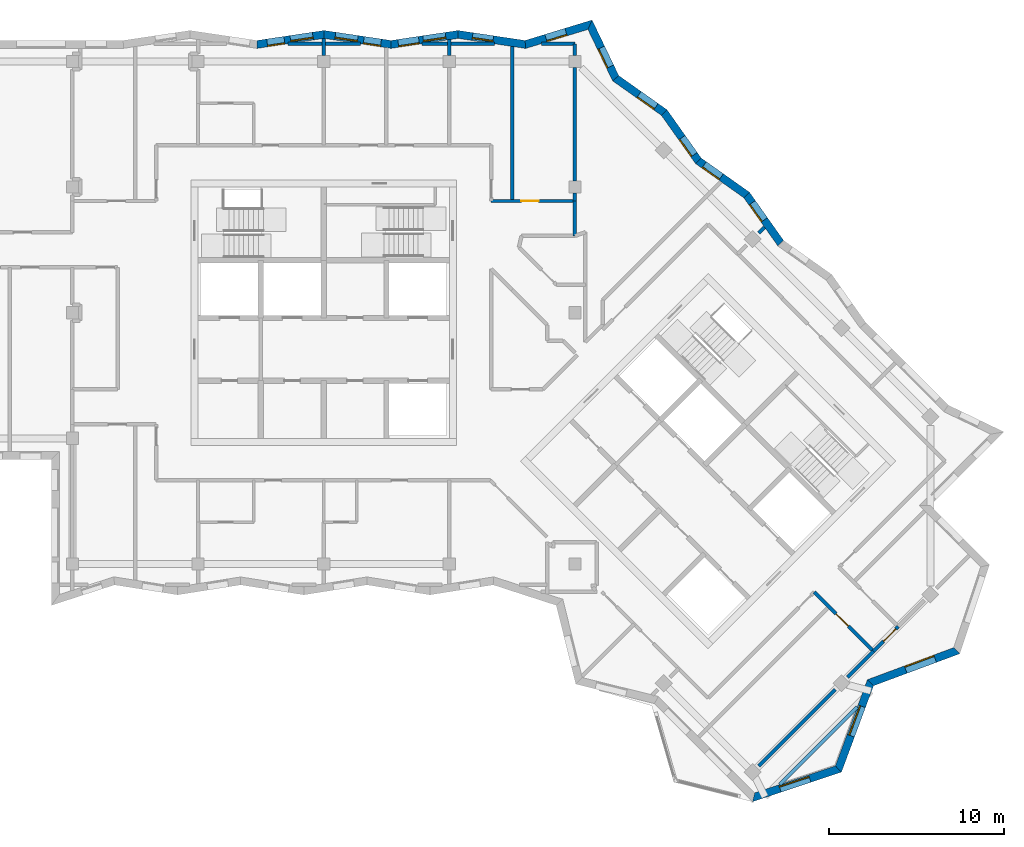
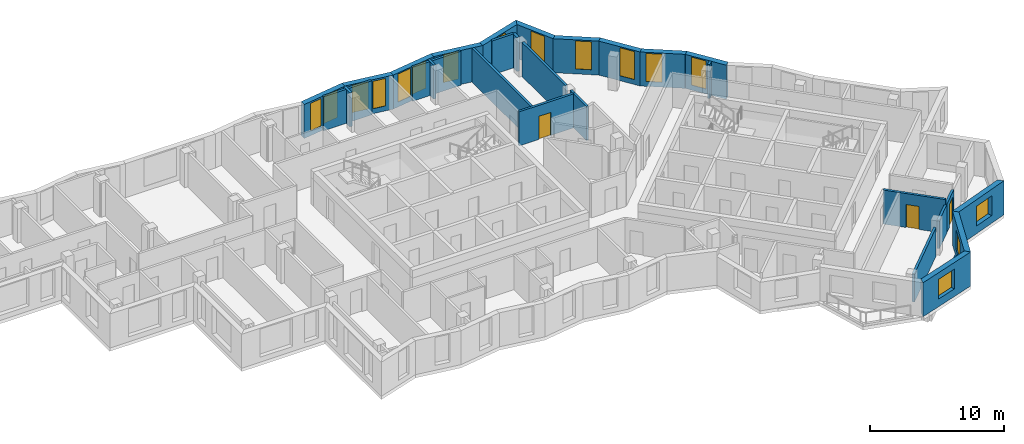
# One storey, part 7 of 12: 30 walls, 16 windows, 3 doors, 19 openings.
"""IFC4 building model written with IfcOpenShell, lengths in metres."""

from ifc_helpers import new_model, si_unit, direction, frame, frame_2d, origin, place, context, subcontext, project, spatial, polyline, rectangle, outline, extrude, material, layer, layer_set, type_object, element, fill, save


model = new_model("IFC4")

# Units and contexts
model_context = context("Model", 3, precision=1e-05, world=origin(), true_north=direction((0.0, 1.0)))
body_context = subcontext(model_context, "Body", "Model", "MODEL_VIEW")
ifc_project = project(units=[si_unit("LENGTHUNIT", "METRE"), si_unit("AREAUNIT", "SQUARE_METRE"), si_unit("VOLUMEUNIT", "CUBIC_METRE"), si_unit("PLANEANGLEUNIT", "RADIAN"), si_unit("MASSUNIT", "GRAM", prefix="KILO")], contexts=[model_context])

# Site, building, storey
site_placement = place(None, origin())
site = spatial("IfcSite", under=ifc_project, at=site_placement, CompositionType="ELEMENT")
building_placement = place(site_placement, origin())
building = spatial("IfcBuilding", under=site, at=building_placement, Name="Windrow Commons", CompositionType="ELEMENT")
storey_placement = place(building_placement, frame((0.0, 0.0, 274.4)))
storey = spatial("IfcBuildingStorey", under=building, at=storey_placement, Name="L75", CompositionType="ELEMENT", Elevation=274.4)

# Wall, opening, window
ifc_material_1 = material(Name="Brick masonry, red clay brick", Category="masonry")
ifc_layer_1 = layer(ifc_material_1, 0.45)
ifc_layer_set_1 = layer_set([ifc_layer_1], Name="Brick facade wall 450")
wall_type_1 = type_object("IfcWallType", Name="Brick facade wall 450", PredefinedType="SOLIDWALL", material=ifc_layer_set_1)
wall_1_placement = place(storey_placement, frame((89.4431, 29.831, 0.0), z_axis=(0.0, 0.0, 1.0), x_axis=(0.9486832981, 0.316227766, 0.0)))
wall_1 = element("IfcWall", 1, at=wall_1_placement, inside=storey, type_object=wall_type_1, Name="Brick facade wall L75 1", PredefinedType="SOLIDWALL", context=body_context, shape_type="SweptSolid", body=[
    extrude(outline(polyline([(-0.1391, -0.225), (5.2275, -0.225), (5.012, 0.225), (0.1391, 0.225), (-0.1391, -0.225)])), origin(), (0.0, 0.0, 1.0), 3.1),
])
opening_1_placement = place(wall_1_placement, frame((1.5844, 0.0, 0.7)))
opening_1 = element("IfcOpeningElement", 2, at=opening_1_placement, cuts=wall_1, Name="Opening W1M", PredefinedType="OPENING", context=body_context, shape_type="SweptSolid", body=[
    extrude(rectangle(XDim=1.8, YDim=1.8, at=frame_2d((0.9, 0.9))), frame((0.0, 0.235, 0.0), z_axis=(0.0, -1.0, 0.0), x_axis=(1.0, 0.0, 0.0)), (0.0, 0.0, 1.0), 0.47),
])
ifc_material_2 = material(Name="Clear float glass in anodised aluminium frame", Category="aluminium")
window_type_1 = type_object("IfcWindowType", Name="Window W1M bedroom 1800x1800", PartitioningType="SINGLE_PANEL", PredefinedType="WINDOW", material=ifc_material_2)
window_1_placement = place(opening_1_placement, origin())
window_1 = element("IfcWindow", 3, at=window_1_placement, inside=storey, type_object=window_type_1, Name="Window L75 1.1", OverallHeight=1.8, OverallWidth=1.8, PartitioningType="SINGLE_PANEL", PredefinedType="WINDOW", context=body_context, shape_type="SweptSolid", body=[
    extrude(rectangle(XDim=1.8, YDim=1.8, at=frame_2d((0.9, 0.9))), frame((0.0, 0.135, 0.0), z_axis=(0.0, -1.0, 0.0), x_axis=(1.0, 0.0, 0.0)), (0.0, 0.0, 1.0), 0.06),
])
fill(opening_1, window_1)

wall_2_placement = place(storey_placement, frame((94.3001, 31.45, 0.0), z_axis=(0.0, 0.0, 1.0), x_axis=(0.3481927166, 0.9374229739, 0.0)))
wall_2 = element("IfcWall", 4, at=wall_2_placement, inside=storey, type_object=wall_type_1, Name="Brick facade wall L75 2", PredefinedType="SOLIDWALL", context=body_context, shape_type="SweptSolid", body=[
    extrude(outline(polyline([(-0.1078, -0.225), (5.1724, -0.225), (5.3786, 0.225), (0.1078, 0.225), (-0.1078, -0.225)])), origin(), (0.0, 0.0, 1.0), 3.1),
])
opening_2_placement = place(wall_2_placement, frame((2.0336, 0.0, 0.7)))
opening_2 = element("IfcOpeningElement", 5, at=opening_2_placement, cuts=wall_2, Name="Opening W1M", PredefinedType="OPENING", context=body_context, shape_type="SweptSolid", body=[
    extrude(rectangle(XDim=1.8, YDim=1.8, at=frame_2d((0.9, 0.9))), frame((0.0, 0.235, 0.0), z_axis=(0.0, -1.0, 0.0), x_axis=(1.0, 0.0, 0.0)), (0.0, 0.0, 1.0), 0.47),
])
window_2_placement = place(opening_2_placement, origin())
window_2 = element("IfcWindow", 6, at=window_2_placement, inside=storey, type_object=window_type_1, Name="Window L75 2.1", OverallHeight=1.8, OverallWidth=1.8, PartitioningType="SINGLE_PANEL", PredefinedType="WINDOW", context=body_context, shape_type="SweptSolid", body=[
    extrude(rectangle(XDim=1.8, YDim=1.8, at=frame_2d((0.9, 0.9))), frame((0.0, 0.125, 0.0), z_axis=(0.0, -1.0, 0.0), x_axis=(1.0, 0.0, 0.0)), (0.0, 0.0, 1.0), 0.06),
])
fill(opening_2, window_2)

wall_3_placement = place(storey_placement, frame((96.137, 36.3954, 0.0), z_axis=(0.0, 0.0, 1.0), x_axis=(0.937429161, 0.3481760591, 0.0)))
wall_3 = element("IfcWall", 7, at=wall_3_placement, inside=storey, type_object=wall_type_1, Name="Brick facade wall L75 3", PredefinedType="SOLIDWALL", context=body_context, shape_type="SweptSolid", body=[
    extrude(outline(polyline([(0.1031, -0.225), (5.3833, -0.225), (5.1677, 0.225), (-0.1031, 0.225), (0.1031, -0.225)])), origin(), (0.0, 0.0, 1.0), 3.1),
])
opening_3_placement = place(wall_3_placement, frame((2.1509, 0.0, 0.7)))
opening_3 = element("IfcOpeningElement", 8, at=opening_3_placement, cuts=wall_3, Name="Opening W1M", PredefinedType="OPENING", context=body_context, shape_type="SweptSolid", body=[
    extrude(rectangle(XDim=1.8, YDim=1.8, at=frame_2d((0.9, 0.9))), frame((0.0, 0.235, 0.0), z_axis=(0.0, -1.0, 0.0), x_axis=(1.0, 0.0, 0.0)), (0.0, 0.0, 1.0), 0.47),
])
window_3_placement = place(opening_3_placement, origin())
window_3 = element("IfcWindow", 9, at=window_3_placement, inside=storey, type_object=window_type_1, Name="Window L75 3.1", OverallHeight=1.8, OverallWidth=1.8, PartitioningType="SINGLE_PANEL", PredefinedType="WINDOW", context=body_context, shape_type="SweptSolid", body=[
    extrude(rectangle(XDim=1.8, YDim=1.8, at=frame_2d((0.9, 0.9))), frame((0.0, 0.205, 0.0), z_axis=(0.0, -1.0, 0.0), x_axis=(1.0, 0.0, 0.0)), (0.0, 0.0, 1.0), 0.06),
])
fill(opening_3, window_3)

wall_4_placement = place(storey_placement, frame((90.9949, 61.5794, 0.0), z_axis=(0.0, 0.0, 1.0), x_axis=(-0.5775314394, 0.8163684441, 0.0)))
wall_4 = element("IfcWall", 10, at=wall_4_placement, inside=storey, type_object=wall_type_1, Name="Brick facade wall L75 11", PredefinedType="SOLIDWALL", context=body_context, shape_type="SweptSolid", body=[
    extrude(outline(polyline([(0.0386, -0.225), (3.4255, -0.225), (3.3483, 0.225), (-0.0386, 0.225), (0.0386, -0.225)])), origin(), (0.0, 0.0, 1.0), 3.1),
])
opening_4_placement = place(wall_4_placement, frame((1.6381, 0.0, 0.45)))
opening_4 = element("IfcOpeningElement", 11, at=opening_4_placement, cuts=wall_4, Name="Opening W7F", PredefinedType="OPENING", context=body_context, shape_type="SweptSolid", body=[
    extrude(rectangle(XDim=1.2, YDim=2.55, at=frame_2d((0.6, 1.275))), frame((0.0, 0.235, 0.0), z_axis=(0.0, -1.0, 0.0), x_axis=(1.0, 0.0, 0.0)), (0.0, 0.0, 1.0), 0.47),
])
ifc_material_3 = material(Name="Clear float glass in anodised aluminium frame", Category="aluminium")
window_type_2 = type_object("IfcWindowType", Name="Window W7 notch 1200x2550", PartitioningType="SINGLE_PANEL", PredefinedType="WINDOW", material=ifc_material_3)
window_4_placement = place(opening_4_placement, origin())
window_4 = element("IfcWindow", 12, at=window_4_placement, inside=storey, type_object=window_type_2, Name="Window L75 11.1", OverallHeight=2.55, OverallWidth=1.2, PartitioningType="SINGLE_PANEL", PredefinedType="WINDOW", context=body_context, shape_type="SweptSolid", body=[
    extrude(rectangle(XDim=1.2, YDim=2.55, at=frame_2d((0.6, 1.275))), frame((0.0, 0.205, 0.0), z_axis=(0.0, -1.0, 0.0), x_axis=(1.0, 0.0, 0.0)), (0.0, 0.0, 1.0), 0.06),
])
fill(opening_4, window_4)

wall_5_placement = place(storey_placement, frame((89.0389, 64.3443, 0.0), z_axis=(0.0, 0.0, 1.0), x_axis=(-0.8163643715, 0.5775371961, 0.0)))
wall_5 = element("IfcWall", 13, at=wall_5_placement, inside=storey, type_object=wall_type_1, Name="Brick facade wall L75 12", PredefinedType="SOLIDWALL", context=body_context, shape_type="SweptSolid", body=[
    extrude(outline(polyline([(-0.0386, -0.225), (3.3483, -0.225), (3.4255, 0.225), (0.0386, 0.225), (-0.0386, -0.225)])), origin(), (0.0, 0.0, 1.0), 3.1),
])
opening_5_placement = place(wall_5_placement, frame((1.7901, 0.0, 0.45)))
opening_5 = element("IfcOpeningElement", 14, at=opening_5_placement, cuts=wall_5, Name="Opening W7F", PredefinedType="OPENING", context=body_context, shape_type="SweptSolid", body=[
    extrude(rectangle(XDim=1.2, YDim=2.55, at=frame_2d((0.6, 1.275))), frame((0.0, 0.235, 0.0), z_axis=(0.0, -1.0, 0.0), x_axis=(1.0, 0.0, 0.0)), (0.0, 0.0, 1.0), 0.47),
])
window_5_placement = place(opening_5_placement, origin())
window_5 = element("IfcWindow", 15, at=window_5_placement, inside=storey, type_object=window_type_2, Name="Window L75 12.1", OverallHeight=2.55, OverallWidth=1.2, PartitioningType="SINGLE_PANEL", PredefinedType="WINDOW", context=body_context, shape_type="SweptSolid", body=[
    extrude(rectangle(XDim=1.2, YDim=2.55, at=frame_2d((0.6, 1.275))), frame((0.0, 0.205, 0.0), z_axis=(0.0, -1.0, 0.0), x_axis=(1.0, 0.0, 0.0)), (0.0, 0.0, 1.0), 0.06),
])
fill(opening_5, window_5)

wall_6_placement = place(storey_placement, frame((86.2739, 66.3004, 0.0), z_axis=(0.0, 0.0, 1.0), x_axis=(-0.5775314394, 0.8163684441, 0.0)))
wall_6 = element("IfcWall", 16, at=wall_6_placement, inside=storey, type_object=wall_type_1, Name="Brick facade wall L75 13", PredefinedType="SOLIDWALL", context=body_context, shape_type="SweptSolid", body=[
    extrude(outline(polyline([(0.0386, -0.225), (3.4255, -0.225), (3.3483, 0.225), (-0.0386, 0.225), (0.0386, -0.225)])), origin(), (0.0, 0.0, 1.0), 3.1),
])
opening_6_placement = place(wall_6_placement, frame((0.4295, 0.0, 0.45)))
opening_6 = element("IfcOpeningElement", 17, at=opening_6_placement, cuts=wall_6, Name="Opening W7F", PredefinedType="OPENING", context=body_context, shape_type="SweptSolid", body=[
    extrude(rectangle(XDim=1.2, YDim=2.55, at=frame_2d((0.6, 1.275))), frame((0.0, 0.235, 0.0), z_axis=(0.0, -1.0, 0.0), x_axis=(1.0, 0.0, 0.0)), (0.0, 0.0, 1.0), 0.47),
])
window_6_placement = place(opening_6_placement, origin())
window_6 = element("IfcWindow", 18, at=window_6_placement, inside=storey, type_object=window_type_2, Name="Window L75 13.1", OverallHeight=2.55, OverallWidth=1.2, PartitioningType="SINGLE_PANEL", PredefinedType="WINDOW", context=body_context, shape_type="SweptSolid", body=[
    extrude(rectangle(XDim=1.2, YDim=2.55, at=frame_2d((0.6, 1.275))), frame((0.0, 0.205, 0.0), z_axis=(0.0, -1.0, 0.0), x_axis=(1.0, 0.0, 0.0)), (0.0, 0.0, 1.0), 0.06),
])
fill(opening_6, window_6)

wall_7_placement = place(storey_placement, frame((84.3179, 69.0653, 0.0), z_axis=(0.0, 0.0, 1.0), x_axis=(-0.8163629806, 0.5775391623, 0.0)))
wall_7 = element("IfcWall", 19, at=wall_7_placement, inside=storey, type_object=wall_type_1, Name="Brick facade wall L75 14", PredefinedType="SOLIDWALL", context=body_context, shape_type="SweptSolid", body=[
    extrude(outline(polyline([(-0.0386, -0.225), (3.3483, -0.225), (3.465, 0.225), (0.0386, 0.225), (-0.0386, -0.225)])), origin(), (0.0, 0.0, 1.0), 3.1),
])
opening_7_placement = place(wall_7_placement, frame((0.5815, 0.0, 0.45)))
opening_7 = element("IfcOpeningElement", 20, at=opening_7_placement, cuts=wall_7, Name="Opening W7F", PredefinedType="OPENING", context=body_context, shape_type="SweptSolid", body=[
    extrude(rectangle(XDim=1.2, YDim=2.55, at=frame_2d((0.6, 1.275))), frame((0.0, 0.235, 0.0), z_axis=(0.0, -1.0, 0.0), x_axis=(1.0, 0.0, 0.0)), (0.0, 0.0, 1.0), 0.47),
])
window_7_placement = place(opening_7_placement, origin())
window_7 = element("IfcWindow", 21, at=window_7_placement, inside=storey, type_object=window_type_2, Name="Window L75 14.1", OverallHeight=2.55, OverallWidth=1.2, PartitioningType="SINGLE_PANEL", PredefinedType="WINDOW", context=body_context, shape_type="SweptSolid", body=[
    extrude(rectangle(XDim=1.2, YDim=2.55, at=frame_2d((0.6, 1.275))), frame((0.0, 0.205, 0.0), z_axis=(0.0, -1.0, 0.0), x_axis=(1.0, 0.0, 0.0)), (0.0, 0.0, 1.0), 0.06),
])
fill(opening_7, window_7)

wall_8_placement = place(storey_placement, frame((81.5368, 71.0328, 0.0), z_axis=(0.0, 0.0, 1.0), x_axis=(-0.4329584149, 0.9014138955, 0.0)))
wall_8 = element("IfcWall", 22, at=wall_8_placement, inside=storey, type_object=wall_type_1, Name="Brick facade wall L75 15", PredefinedType="SOLIDWALL", context=body_context, shape_type="SweptSolid", body=[
    extrude(outline(polyline([(0.0583, -0.225), (3.5963, -0.225), (3.2098, 0.225), (-0.0583, 0.225), (0.0583, -0.225)])), origin(), (0.0, 0.0, 1.0), 3.1),
])
opening_8_placement = place(wall_8_placement, frame((0.738, 0.0, 0.45)))
opening_8 = element("IfcOpeningElement", 23, at=opening_8_placement, cuts=wall_8, Name="Opening W7F", PredefinedType="OPENING", context=body_context, shape_type="SweptSolid", body=[
    extrude(rectangle(XDim=1.2, YDim=2.55, at=frame_2d((0.6, 1.275))), frame((0.0, 0.235, 0.0), z_axis=(0.0, -1.0, 0.0), x_axis=(1.0, 0.0, 0.0)), (0.0, 0.0, 1.0), 0.47),
])
window_8_placement = place(opening_8_placement, origin())
window_8 = element("IfcWindow", 24, at=window_8_placement, inside=storey, type_object=window_type_2, Name="Window L75 15.1", OverallHeight=2.55, OverallWidth=1.2, PartitioningType="SINGLE_PANEL", PredefinedType="WINDOW", context=body_context, shape_type="SweptSolid", body=[
    extrude(rectangle(XDim=1.2, YDim=2.55, at=frame_2d((0.6, 1.275))), frame((0.0, 0.205, 0.0), z_axis=(0.0, -1.0, 0.0), x_axis=(1.0, 0.0, 0.0)), (0.0, 0.0, 1.0), 0.06),
])
fill(opening_8, window_8)

wall_9_placement = place(storey_placement, frame((80.0634, 74.1004, 0.0), z_axis=(0.0, 0.0, 1.0), x_axis=(-0.9564377374, -0.2919363877, 0.0)))
wall_9 = element("IfcWall", 25, at=wall_9_placement, inside=storey, type_object=wall_type_1, Name="Brick facade wall L75 16", PredefinedType="SOLIDWALL", context=body_context, shape_type="SweptSolid", body=[
    extrude(outline(polyline([(-0.1933, -0.225), (3.8212, -0.225), (3.9229, 0.225), (0.1933, 0.225), (-0.1933, -0.225)])), origin(), (0.0, 0.0, 1.0), 3.1),
])
opening_9_placement = place(wall_9_placement, frame((1.4374, 0.0, 0.45)))
opening_9 = element("IfcOpeningElement", 26, at=opening_9_placement, cuts=wall_9, Name="Opening W7F", PredefinedType="OPENING", context=body_context, shape_type="SweptSolid", body=[
    extrude(rectangle(XDim=1.2, YDim=2.55, at=frame_2d((0.6, 1.275))), frame((0.0, 0.235, 0.0), z_axis=(0.0, -1.0, 0.0), x_axis=(1.0, 0.0, 0.0)), (0.0, 0.0, 1.0), 0.47),
])
window_9_placement = place(opening_9_placement, origin())
window_9 = element("IfcWindow", 27, at=window_9_placement, inside=storey, type_object=window_type_2, Name="Window L75 16.1", OverallHeight=2.55, OverallWidth=1.2, PartitioningType="SINGLE_PANEL", PredefinedType="WINDOW", context=body_context, shape_type="SweptSolid", body=[
    extrude(rectangle(XDim=1.2, YDim=2.55, at=frame_2d((0.6, 1.275))), frame((0.0, 0.205, 0.0), z_axis=(0.0, -1.0, 0.0), x_axis=(1.0, 0.0, 0.0)), (0.0, 0.0, 1.0), 0.06),
])
fill(opening_9, window_9)

wall_10_placement = place(storey_placement, frame((76.36, 72.97, 0.0), z_axis=(0.0, 0.0, 1.0), x_axis=(-0.9890865204, 0.1473358586, 0.0)))
wall_10 = element("IfcWall", 28, at=wall_10_placement, inside=storey, type_object=wall_type_1, Name="Brick facade wall L75 17", PredefinedType="SOLIDWALL", context=body_context, shape_type="SweptSolid", body=[
    extrude(outline(polyline([(0.0508, -0.225), (3.9328, -0.225), (3.8657, 0.225), (-0.0508, 0.225), (0.0508, -0.225)])), origin(), (0.0, 0.0, 1.0), 3.1),
])
opening_10_placement = place(wall_10_placement, frame((1.8671, 0.0, 0.45)))
opening_10 = element("IfcOpeningElement", 29, at=opening_10_placement, cuts=wall_10, Name="Opening W7F", PredefinedType="OPENING", context=body_context, shape_type="SweptSolid", body=[
    extrude(rectangle(XDim=1.2, YDim=2.55, at=frame_2d((0.6, 1.275))), frame((0.0, 0.235, 0.0), z_axis=(0.0, -1.0, 0.0), x_axis=(1.0, 0.0, 0.0)), (0.0, 0.0, 1.0), 0.47),
])
window_10_placement = place(opening_10_placement, origin())
window_10 = element("IfcWindow", 30, at=window_10_placement, inside=storey, type_object=window_type_2, Name="Window L75 17.1", OverallHeight=2.55, OverallWidth=1.2, PartitioningType="SINGLE_PANEL", PredefinedType="WINDOW", context=body_context, shape_type="SweptSolid", body=[
    extrude(rectangle(XDim=1.2, YDim=2.55, at=frame_2d((0.6, 1.275))), frame((0.0, 0.115, 0.0), z_axis=(0.0, -1.0, 0.0), x_axis=(1.0, 0.0, 0.0)), (0.0, 0.0, 1.0), 0.06),
])
fill(opening_10, window_10)

# Wall, openings, windows
wall_11_placement = place(storey_placement, frame((72.5033, 73.5445, 0.0), z_axis=(0.0, 0.0, 1.0), x_axis=(-0.9890847468, -0.1473477641, 0.0)))
wall_11 = element("IfcWall", 31, at=wall_11_placement, inside=storey, type_object=wall_type_1, Name="Brick facade wall L75 18", PredefinedType="SOLIDWALL", context=body_context, shape_type="SweptSolid", body=[
    extrude(outline(polyline([(-0.0335, -0.225), (3.8485, -0.225), (3.9155, 0.225), (0.0335, 0.225), (-0.0335, -0.225)])), origin(), (0.0, 0.0, 1.0), 3.1),
])
opening_11_placement = place(wall_11_placement, frame((0.7155, 0.0, 0.45)))
opening_11 = element("IfcOpeningElement", 32, at=opening_11_placement, cuts=wall_11, Name="Opening W1Q", PredefinedType="OPENING", context=body_context, shape_type="SweptSolid", body=[
    extrude(rectangle(XDim=1.3, YDim=2.5, at=frame_2d((0.65, 1.25))), frame((0.0, 0.235, 0.0), z_axis=(0.0, -1.0, 0.0), x_axis=(1.0, 0.0, 0.0)), (0.0, 0.0, 1.0), 0.47),
])
opening_12_placement = place(wall_11_placement, frame((2.2655, 0.0, 0.45)))
opening_12 = element("IfcOpeningElement", 33, at=opening_12_placement, cuts=wall_11, Name="Opening W7F", PredefinedType="OPENING", context=body_context, shape_type="SweptSolid", body=[
    extrude(rectangle(XDim=1.2, YDim=2.55, at=frame_2d((0.6, 1.275))), frame((0.0, 0.235, 0.0), z_axis=(0.0, -1.0, 0.0), x_axis=(1.0, 0.0, 0.0)), (0.0, 0.0, 1.0), 0.47),
])
ifc_material_4 = material(Name="Clear float glass in anodised aluminium frame", Category="aluminium")
window_type_3 = type_object("IfcWindowType", Name="Window W1Q pair 1300x2500", PartitioningType="SINGLE_PANEL", PredefinedType="WINDOW", material=ifc_material_4)
window_11_placement = place(opening_11_placement, origin())
window_11 = element("IfcWindow", 34, at=window_11_placement, inside=storey, type_object=window_type_3, Name="Window L75 18.1A", OverallHeight=2.5, OverallWidth=1.3, PartitioningType="SINGLE_PANEL", PredefinedType="WINDOW", context=body_context, shape_type="SweptSolid", body=[
    extrude(rectangle(XDim=1.3, YDim=2.5, at=frame_2d((0.65, 1.25))), frame((0.0, 0.115, 0.0), z_axis=(0.0, -1.0, 0.0), x_axis=(1.0, 0.0, 0.0)), (0.0, 0.0, 1.0), 0.06),
])
fill(opening_11, window_11)
window_12_placement = place(opening_12_placement, origin())
window_12 = element("IfcWindow", 35, at=window_12_placement, inside=storey, type_object=window_type_2, Name="Window L75 18.1B", OverallHeight=2.55, OverallWidth=1.2, PartitioningType="SINGLE_PANEL", PredefinedType="WINDOW", context=body_context, shape_type="SweptSolid", body=[
    extrude(rectangle(XDim=1.2, YDim=2.55, at=frame_2d((0.6, 1.275))), frame((0.0, 0.205, 0.0), z_axis=(0.0, -1.0, 0.0), x_axis=(1.0, 0.0, 0.0)), (0.0, 0.0, 1.0), 0.06),
])
fill(opening_12, window_12)

wall_12_placement = place(storey_placement, frame((68.6637, 72.9725, 0.0), z_axis=(0.0, 0.0, 1.0), x_axis=(-0.9890847468, 0.1473477641, 0.0)))
wall_12 = element("IfcWall", 36, at=wall_12_placement, inside=storey, type_object=wall_type_1, Name="Brick facade wall L75 19", PredefinedType="SOLIDWALL", context=body_context, shape_type="SweptSolid", body=[
    extrude(outline(polyline([(0.0335, -0.225), (3.9155, -0.225), (3.8485, 0.225), (-0.0335, 0.225), (0.0335, -0.225)])), origin(), (0.0, 0.0, 1.0), 3.1),
])
opening_13_placement = place(wall_12_placement, frame((0.5853, 0.0, 0.45)))
opening_13 = element("IfcOpeningElement", 37, at=opening_13_placement, cuts=wall_12, Name="Opening W1S", PredefinedType="OPENING", context=body_context, shape_type="SweptSolid", body=[
    extrude(rectangle(XDim=1.0, YDim=2.5, at=frame_2d((0.5, 1.25))), frame((0.0, 0.235, 0.0), z_axis=(0.0, -1.0, 0.0), x_axis=(1.0, 0.0, 0.0)), (0.0, 0.0, 1.0), 0.47),
])
opening_14_placement = place(wall_12_placement, frame((1.9353, 0.0, 0.45)))
opening_14 = element("IfcOpeningElement", 38, at=opening_14_placement, cuts=wall_12, Name="Opening W1Q", PredefinedType="OPENING", context=body_context, shape_type="SweptSolid", body=[
    extrude(rectangle(XDim=1.3, YDim=2.5, at=frame_2d((0.65, 1.25))), frame((0.0, 0.235, 0.0), z_axis=(0.0, -1.0, 0.0), x_axis=(1.0, 0.0, 0.0)), (0.0, 0.0, 1.0), 0.47),
])
window_13_placement = place(opening_14_placement, origin())
window_13 = element("IfcWindow", 39, at=window_13_placement, inside=storey, type_object=window_type_3, Name="Window L75 19.1B", OverallHeight=2.5, OverallWidth=1.3, PartitioningType="SINGLE_PANEL", PredefinedType="WINDOW", context=body_context, shape_type="SweptSolid", body=[
    extrude(rectangle(XDim=1.3, YDim=2.5, at=frame_2d((0.65, 1.25))), frame((0.0, 0.125, 0.0), z_axis=(0.0, -1.0, 0.0), x_axis=(1.0, 0.0, 0.0)), (0.0, 0.0, 1.0), 0.06),
])
fill(opening_14, window_13)
ifc_material_5 = material(Name="Clear float glass in anodised aluminium frame", Category="aluminium")
window_type_4 = type_object("IfcWindowType", Name="Window W1S slit 1000x2500", PartitioningType="SINGLE_PANEL", PredefinedType="WINDOW", material=ifc_material_5)
window_14_placement = place(opening_13_placement, origin())
window_14 = element("IfcWindow", 40, at=window_14_placement, inside=storey, type_object=window_type_4, Name="Window L75 19.1A", OverallHeight=2.5, OverallWidth=1.0, PartitioningType="SINGLE_PANEL", PredefinedType="WINDOW", context=body_context, shape_type="SweptSolid", body=[
    extrude(rectangle(XDim=1.0, YDim=2.5, at=frame_2d((0.5, 1.25))), frame((0.0, 0.205, 0.0), z_axis=(0.0, -1.0, 0.0), x_axis=(1.0, 0.0, 0.0)), (0.0, 0.0, 1.0), 0.06),
])
fill(opening_13, window_14)

wall_13_placement = place(storey_placement, frame((64.8241, 73.5445, 0.0), z_axis=(0.0, 0.0, 1.0), x_axis=(-0.9890847468, -0.1473477641, 0.0)))
wall_13 = element("IfcWall", 41, at=wall_13_placement, inside=storey, type_object=wall_type_1, Name="Brick facade wall L75 20", PredefinedType="SOLIDWALL", context=body_context, shape_type="SweptSolid", body=[
    extrude(outline(polyline([(-0.0335, -0.225), (3.8485, -0.225), (3.9155, 0.225), (0.0335, 0.225), (-0.0335, -0.225)])), origin(), (0.0, 0.0, 1.0), 3.1),
])
opening_15_placement = place(wall_13_placement, frame((0.6467, 0.0, 0.45)))
opening_15 = element("IfcOpeningElement", 42, at=opening_15_placement, cuts=wall_13, Name="Opening W1Q", PredefinedType="OPENING", context=body_context, shape_type="SweptSolid", body=[
    extrude(rectangle(XDim=1.3, YDim=2.5, at=frame_2d((0.65, 1.25))), frame((0.0, 0.235, 0.0), z_axis=(0.0, -1.0, 0.0), x_axis=(1.0, 0.0, 0.0)), (0.0, 0.0, 1.0), 0.47),
])
opening_16_placement = place(wall_13_placement, frame((2.2967, 0.0, 0.45)))
opening_16 = element("IfcOpeningElement", 43, at=opening_16_placement, cuts=wall_13, Name="Opening W1S", PredefinedType="OPENING", context=body_context, shape_type="SweptSolid", body=[
    extrude(rectangle(XDim=1.0, YDim=2.5, at=frame_2d((0.5, 1.25))), frame((0.0, 0.235, 0.0), z_axis=(0.0, -1.0, 0.0), x_axis=(1.0, 0.0, 0.0)), (0.0, 0.0, 1.0), 0.47),
])
window_15_placement = place(opening_15_placement, origin())
window_15 = element("IfcWindow", 44, at=window_15_placement, inside=storey, type_object=window_type_3, Name="Window L75 20.1A", OverallHeight=2.5, OverallWidth=1.3, PartitioningType="SINGLE_PANEL", PredefinedType="WINDOW", context=body_context, shape_type="SweptSolid", body=[
    extrude(rectangle(XDim=1.3, YDim=2.5, at=frame_2d((0.65, 1.25))), frame((0.0, 0.125, 0.0), z_axis=(0.0, -1.0, 0.0), x_axis=(1.0, 0.0, 0.0)), (0.0, 0.0, 1.0), 0.06),
])
fill(opening_15, window_15)
window_16_placement = place(opening_16_placement, origin())
window_16 = element("IfcWindow", 45, at=window_16_placement, inside=storey, type_object=window_type_4, Name="Window L75 20.1B", OverallHeight=2.5, OverallWidth=1.0, PartitioningType="SINGLE_PANEL", PredefinedType="WINDOW", context=body_context, shape_type="SweptSolid", body=[
    extrude(rectangle(XDim=1.0, YDim=2.5, at=frame_2d((0.5, 1.25))), frame((0.0, 0.205, 0.0), z_axis=(0.0, -1.0, 0.0), x_axis=(1.0, 0.0, 0.0)), (0.0, 0.0, 1.0), 0.06),
])
fill(opening_16, window_16)

# Wall, opening, door
ifc_material_6 = material(Name="Blockwork partition", Category="masonry")
ifc_layer_2 = layer(ifc_material_6, 0.2)
ifc_layer_set_2 = layer_set([ifc_layer_2], Name="IW-CORRIDOR-200")
wall_type_2 = type_object("IfcWallType", Name="IW-CORRIDOR-200", PredefinedType="PARTITIONING", material=ifc_layer_set_2)
wall_14_placement = place(storey_placement, frame((92.9149, 41.5909, 0.0), z_axis=(0.0, 0.0, 1.0), x_axis=(0.7071067812, -0.7071067812, 0.0)))
wall_14 = element("IfcWall", 46, at=wall_14_placement, inside=storey, type_object=wall_type_2, Name="W-L75-W032", PredefinedType="PARTITIONING", context=body_context, shape_type="SweptSolid", body=[
    extrude(rectangle(XDim=4.7998, YDim=0.2, at=frame_2d((2.3999, 0.0))), origin(), (0.0, 0.0, 1.0), 3.1),
])
opening_17_placement = place(wall_14_placement, frame((1.7671, 0.0, 0.0)))
opening_17 = element("IfcOpeningElement", 47, at=opening_17_placement, cuts=wall_14, Name="Opening D310F", PredefinedType="OPENING", context=body_context, shape_type="SweptSolid", body=[
    extrude(rectangle(XDim=1.0, YDim=2.1, at=frame_2d((0.5, 1.05))), frame((0.0, 0.11, 0.0), z_axis=(0.0, -1.0, 0.0), x_axis=(1.0, 0.0, 0.0)), (0.0, 0.0, 1.0), 0.22),
])
ifc_material_7 = material(Name="Timber door leaf", Category="wood")
door_type = type_object("IfcDoorType", Name="DT-AMENITY-1000", OperationType="SINGLE_SWING_LEFT", PredefinedType="DOOR", material=ifc_material_7)
door_1_placement = place(opening_17_placement, origin())
door_1 = element("IfcDoor", 48, at=door_1_placement, inside=storey, type_object=door_type, Name="D-L75-D035", OperationType="SINGLE_SWING_LEFT", OverallHeight=2.1, OverallWidth=1.0, PredefinedType="DOOR", context=body_context, shape_type="SweptSolid", body=[
    extrude(rectangle(XDim=1.0, YDim=2.1, at=frame_2d((0.5, 1.05))), frame((0.0, 0.025, 0.0), z_axis=(0.0, -1.0, 0.0), x_axis=(1.0, 0.0, 0.0)), (0.0, 0.0, 1.0), 0.05),
])
fill(opening_17, door_1)

wall_15_placement = place(storey_placement, frame((74.402, 64.0, 0.0), z_axis=(0.0, 0.0, 1.0), x_axis=(1.0, 0.0, 0.0)))
wall_15 = element("IfcWall", 49, at=wall_15_placement, inside=storey, type_object=wall_type_2, Name="W-L75-W034", PredefinedType="PARTITIONING", context=body_context, shape_type="SweptSolid", body=[
    extrude(rectangle(XDim=4.798, YDim=0.2, at=frame_2d((2.399, 0.0))), origin(), (0.0, 0.0, 1.0), 3.1),
])
opening_18_placement = place(wall_15_placement, frame((1.723, 0.0, 0.0)))
opening_18 = element("IfcOpeningElement", 50, at=opening_18_placement, cuts=wall_15, Name="Opening D310F", PredefinedType="OPENING", context=body_context, shape_type="SweptSolid", body=[
    extrude(rectangle(XDim=1.0, YDim=2.1, at=frame_2d((0.5, 1.05))), frame((0.0, 0.11, 0.0), z_axis=(0.0, -1.0, 0.0), x_axis=(1.0, 0.0, 0.0)), (0.0, 0.0, 1.0), 0.22),
])
door_2_placement = place(opening_18_placement, origin())
door_2 = element("IfcDoor", 51, at=door_2_placement, inside=storey, type_object=door_type, Name="D-L75-D006", OperationType="SINGLE_SWING_LEFT", OverallHeight=2.1, OverallWidth=1.0, PredefinedType="DOOR", context=body_context, shape_type="SweptSolid", body=[
    extrude(rectangle(XDim=1.0, YDim=2.1, at=frame_2d((0.5, 1.05))), frame((0.0, 0.025, 0.0), z_axis=(0.0, -1.0, 0.0), x_axis=(1.0, 0.0, 0.0)), (0.0, 0.0, 1.0), 0.05),
])
fill(opening_18, door_2)

# Wall
wall_16_placement = place(storey_placement, frame((79.2, 62.0, 0.0), z_axis=(0.0, 0.0, 1.0), x_axis=(0.0, 1.0, 0.0)))
element("IfcWall", 52, at=wall_16_placement, inside=storey, type_object=wall_type_2, Name="W-L75-W090", PredefinedType="PARTITIONING", context=body_context, shape_type="SweptSolid", body=[
    extrude(rectangle(XDim=2.0, YDim=0.2, at=frame_2d((1.0, 0.0))), origin(), (0.0, 0.0, 1.0), 3.1),
])

# Wall, opening, door
wall_17_placement = place(storey_placement, frame((96.311, 38.201, 0.0), z_axis=(0.0, 0.0, 1.0), x_axis=(0.7071067812, 0.7071067812, 0.0)))
wall_17 = element("IfcWall", 53, at=wall_17_placement, inside=storey, type_object=wall_type_2, Name="W-L75-W091", PredefinedType="PARTITIONING", context=body_context, shape_type="SweptSolid", body=[
    extrude(rectangle(XDim=1.9997, YDim=0.2, at=frame_2d((0.9999, 0.0))), origin(), (0.0, 0.0, 1.0), 2.6),
])
opening_19_placement = place(wall_17_placement, frame((0.8031, 0.0, 0.0)))
opening_19 = element("IfcOpeningElement", 54, at=opening_19_placement, cuts=wall_17, Name="Opening D310F", PredefinedType="OPENING", context=body_context, shape_type="SweptSolid", body=[
    extrude(rectangle(XDim=1.0, YDim=2.1, at=frame_2d((0.5, 1.05))), frame((0.0, 0.11, 0.0), z_axis=(0.0, -1.0, 0.0), x_axis=(1.0, 0.0, 0.0)), (0.0, 0.0, 1.0), 0.22),
])
door_3_placement = place(opening_19_placement, origin())
door_3 = element("IfcDoor", 55, at=door_3_placement, inside=storey, type_object=door_type, Name="D-L75-D037", OperationType="SINGLE_SWING_RIGHT", OverallHeight=2.1, OverallWidth=1.0, PredefinedType="DOOR", context=body_context, shape_type="SweptSolid", body=[
    extrude(rectangle(XDim=1.0, YDim=2.1, at=frame_2d((0.5, 1.05))), frame((0.0, 0.025, 0.0), z_axis=(0.0, -1.0, 0.0), x_axis=(1.0, 0.0, 0.0)), (0.0, 0.0, 1.0), 0.05),
])
fill(opening_19, door_3)

# Walls
ifc_material_8 = material(Name="Blockwork partition", Category="masonry")
ifc_layer_3 = layer(ifc_material_8, 0.2)
ifc_layer_set_3 = layer_set([ifc_layer_3], Name="IW-PARTY-200")
wall_type_3 = type_object("IfcWallType", Name="IW-PARTY-200", PredefinedType="PARTITIONING", material=ifc_layer_set_3)
wall_18_placement = place(storey_placement, frame((75.6, 64.0, 0.0), z_axis=(0.0, 0.0, 1.0), x_axis=(0.0, 1.0, 0.0)))
element("IfcWall", 56, at=wall_18_placement, inside=storey, type_object=wall_type_3, Name="W-L75-W009", PredefinedType="PARTITIONING", context=body_context, shape_type="SweptSolid", body=[
    extrude(rectangle(XDim=8.8557, YDim=0.2, at=frame_2d((4.4279, 0.0))), origin(), (0.0, 0.0, 1.0), 3.1),
])
wall_19_placement = place(storey_placement, frame((79.2, 65.15, 0.0), z_axis=(0.0, 0.0, 1.0), x_axis=(0.0, 1.0, 0.0)))
element("IfcWall", 57, at=wall_19_placement, inside=storey, type_object=wall_type_3, Name="W-L75-W021", PredefinedType="PARTITIONING", context=body_context, shape_type="SweptSolid", body=[
    extrude(rectangle(XDim=6.5, YDim=0.2, at=frame_2d((3.25, 0.0))), origin(), (0.0, 0.0, 1.0), 3.1),
])
wall_20_placement = place(storey_placement, frame((89.731, 31.621, 0.0), z_axis=(0.0, 0.0, 1.0), x_axis=(0.7071067812, 0.7071067812, 0.0)))
element("IfcWall", 58, at=wall_20_placement, inside=storey, type_object=wall_type_3, Name="W-L75-W024", PredefinedType="PARTITIONING", context=body_context, shape_type="SweptSolid", body=[
    extrude(rectangle(XDim=6.2112, YDim=0.2, at=frame_2d((3.1056, 0.0))), origin(), (0.0, 0.0, 1.0), 2.6),
])
wall_21_placement = place(storey_placement, frame((62.746, 73.0, 0.0), z_axis=(0.0, 0.0, 1.0), x_axis=(1.0, 0.0, 0.0)))
element("IfcWall", 59, at=wall_21_placement, inside=storey, type_object=wall_type_3, Name="W-L75-W044", PredefinedType="PARTITIONING", context=body_context, shape_type="SweptSolid", body=[
    extrude(rectangle(XDim=4.1562, YDim=0.2, at=frame_2d((2.0781, 0.0))), origin(), (0.0, 0.0, 1.0), 3.1),
])
wall_22_placement = place(storey_placement, frame((70.4252, 73.0, 0.0), z_axis=(0.0, 0.0, 1.0), x_axis=(1.0, 0.0, 0.0)))
element("IfcWall", 60, at=wall_22_placement, inside=storey, type_object=wall_type_3, Name="W-L75-W047", PredefinedType="PARTITIONING", context=body_context, shape_type="SweptSolid", body=[
    extrude(rectangle(XDim=4.1563, YDim=0.2, at=frame_2d((2.0781, 0.0))), origin(), (0.0, 0.0, 1.0), 3.1),
])
wall_23_placement = place(storey_placement, frame((94.823, 36.713, 0.0), z_axis=(0.0, 0.0, 1.0), x_axis=(0.7071067812, 0.7071067812, 0.0)))
element("IfcWall", 61, at=wall_23_placement, inside=storey, type_object=wall_type_3, Name="W-L75-W085", PredefinedType="PARTITIONING", context=body_context, shape_type="SweptSolid", body=[
    extrude(rectangle(XDim=2.1043, YDim=0.2, at=frame_2d((1.0521, 0.0))), origin(), (0.0, 0.0, 1.0), 2.6),
])
wall_24_placement = place(storey_placement, frame((77.2791, 73.0, 0.0), z_axis=(0.0, 0.0, 1.0), x_axis=(1.0, 0.0, 0.0)))
element("IfcWall", 62, at=wall_24_placement, inside=storey, type_object=wall_type_3, Name="W-L75-W093", PredefinedType="PARTITIONING", context=body_context, shape_type="SweptSolid", body=[
    extrude(rectangle(XDim=1.9209, YDim=0.2, at=frame_2d((0.9605, 0.0))), origin(), (0.0, 0.0, 1.0), 3.1),
])
wall_25_placement = place(storey_placement, frame((64.8, 72.35, 0.0), z_axis=(0.0, 0.0, 1.0), x_axis=(0.0, 1.0, 0.0)))
element("IfcWall", 63, at=wall_25_placement, inside=storey, type_object=wall_type_3, Name="W-L75-W126", PredefinedType="PARTITIONING", context=body_context, shape_type="SweptSolid", body=[
    extrude(rectangle(XDim=0.9634, YDim=0.2, at=frame_2d((0.4817, 0.0))), origin(), (0.0, 0.0, 1.0), 3.1),
])
wall_26_placement = place(storey_placement, frame((72.0, 72.35, 0.0), z_axis=(0.0, 0.0, 1.0), x_axis=(0.0, 1.0, 0.0)))
element("IfcWall", 64, at=wall_26_placement, inside=storey, type_object=wall_type_3, Name="W-L75-W127", PredefinedType="PARTITIONING", context=body_context, shape_type="SweptSolid", body=[
    extrude(rectangle(XDim=0.8921, YDim=0.2, at=frame_2d((0.4461, 0.0))), origin(), (0.0, 0.0, 1.0), 3.1),
])
wall_27_placement = place(storey_placement, frame((79.2, 72.35, 0.0), z_axis=(0.0, 0.0, 1.0), x_axis=(0.0, 1.0, 0.0)))
element("IfcWall", 65, at=wall_27_placement, inside=storey, type_object=wall_type_3, Name="W-L75-W128", PredefinedType="PARTITIONING", context=body_context, shape_type="SweptSolid", body=[
    extrude(rectangle(XDim=0.65, YDim=0.2, at=frame_2d((0.325, 0.0))), origin(), (0.0, 0.0, 1.0), 3.1),
])
wall_28_placement = place(storey_placement, frame((79.2, 64.0, 0.0), z_axis=(0.0, 0.0, 1.0), x_axis=(0.0, 1.0, 0.0)))
element("IfcWall", 66, at=wall_28_placement, inside=storey, type_object=wall_type_3, Name="W-L75-W150", PredefinedType="PARTITIONING", context=body_context, shape_type="SweptSolid", body=[
    extrude(rectangle(XDim=0.45, YDim=0.2, at=frame_2d((0.225, 0.0))), origin(), (0.0, 0.0, 1.0), 3.1),
])
wall_29_placement = place(storey_placement, frame((89.7315, 62.1685, 0.0), z_axis=(0.0, 0.0, 1.0), x_axis=(0.7071067812, 0.7071067812, 0.0)))
element("IfcWall", 67, at=wall_29_placement, inside=storey, type_object=wall_type_3, Name="W-L75-W151", PredefinedType="PARTITIONING", context=body_context, shape_type="SweptSolid", body=[
    extrude(rectangle(XDim=0.4729, YDim=0.2, at=frame_2d((0.2364, 0.0))), origin(), (0.0, 0.0, 1.0), 3.1),
])
ifc_material_9 = material(Name="Brick masonry, red clay brick", Category="masonry")
ifc_layer_4 = layer(ifc_material_9, 0.2)
ifc_layer_set_4 = layer_set([ifc_layer_4], Name="Terrace edge parapet 200")
wall_type_4 = type_object("IfcWallType", Name="Terrace edge parapet 200", PredefinedType="PARAPET", material=ifc_layer_set_4)
wall_30_placement = place(storey_placement, frame((95.3812, 35.0068, 0.0), z_axis=(0.0, 0.0, 1.0), x_axis=(-0.7071067812, -0.7071067812, 0.0)))
element("IfcWall", 68, at=wall_30_placement, inside=storey, type_object=wall_type_4, Name="Terrace parapet TR-L75-1.1.1", PredefinedType="PARAPET", context=body_context, shape_type="SweptSolid", body=[
    extrude(outline(polyline([(0.0, -0.1), (6.2774, -0.1), (6.2774, 0.1), (0.0, 0.1), (0.0, -0.1)])), origin(), (0.0, 0.0, 1.0), 0.25),
])

save(model, "model.ifc")
